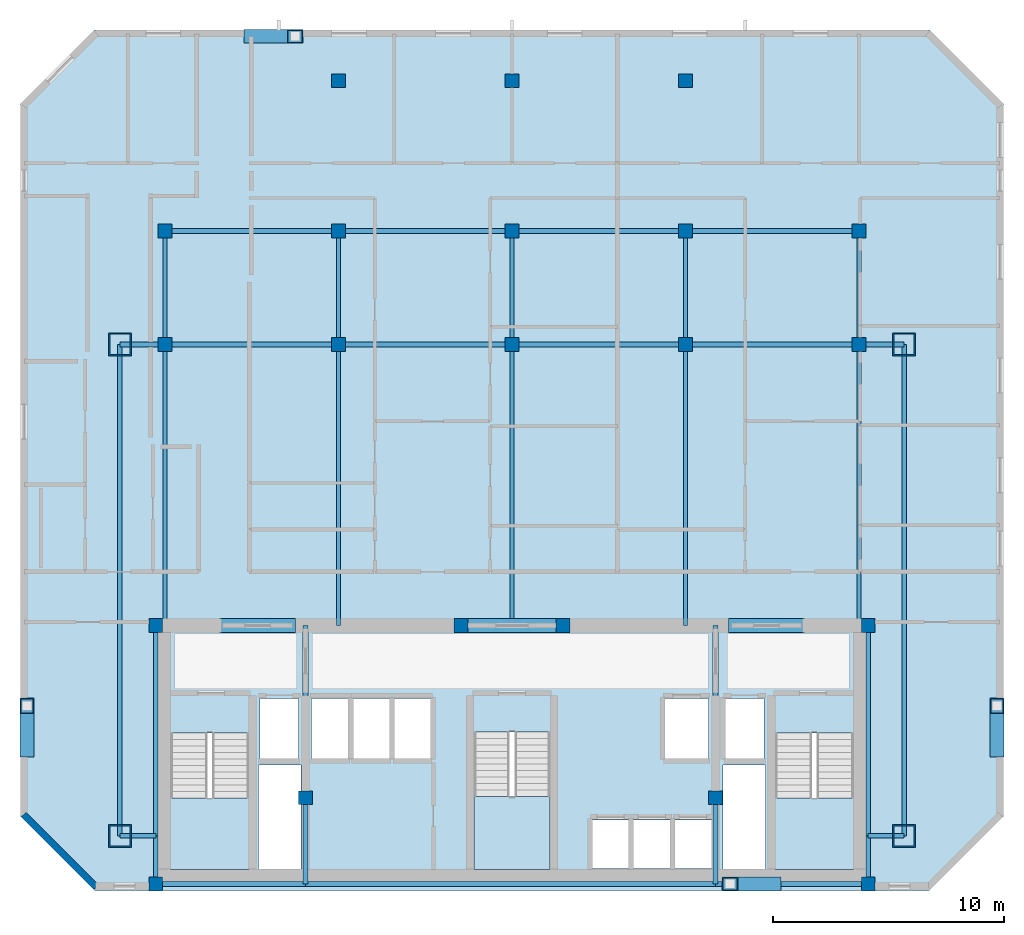
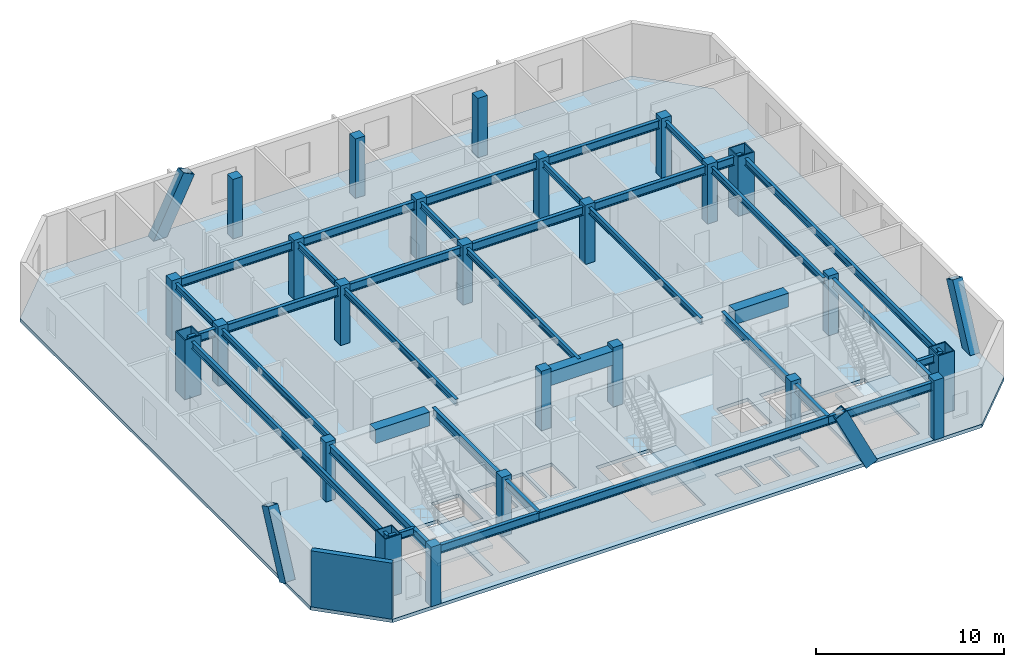
# One storey, part 1 of 7: 38 beams, 25 columns, 4 members, 4 slabs, 1 wall, 3 elements without a shape of their own.
"""IFC4 building model written with IfcOpenShell, lengths in metres."""

from ifc_helpers import new_model, si_unit, direction, frame, frame_2d, origin, origin_2d, place, context, subcontext, project, spatial, polyline, rectangle, hollow_rectangle, i_section, outline, extrude, material, layer, layer_set, material_profile, profile_set, type_object, element, aggregate, save


model = new_model("IFC4")

# Units and contexts
model_context = context("Model", 3, precision=1e-05, world=origin(), true_north=direction((0.0, 1.0)))
body_context = subcontext(model_context, "Body", "Model", "MODEL_VIEW")
ifc_project = project(units=[si_unit("LENGTHUNIT", "METRE"), si_unit("AREAUNIT", "SQUARE_METRE"), si_unit("VOLUMEUNIT", "CUBIC_METRE"), si_unit("PLANEANGLEUNIT", "RADIAN"), si_unit("MASSUNIT", "GRAM", prefix="KILO")], contexts=[model_context])

# Site, building, storey
site_placement = place(None, origin())
site = spatial("IfcSite", under=ifc_project, at=site_placement, CompositionType="ELEMENT")
building_placement = place(site_placement, origin())
building = spatial("IfcBuilding", under=site, at=building_placement, Name="Ventersveld Concourse Tower", CompositionType="ELEMENT")
storey_placement = place(building_placement, frame((0.0, 0.0, 227.25)))
storey = spatial("IfcBuildingStorey", under=building, at=storey_placement, Name="L56", CompositionType="ELEMENT", Elevation=227.25)

# Columns
ifc_material_1 = material(Name="Concrete C50/60", Category="concrete")
ifc_material_profile_1 = material_profile(ifc_material_1, rectangle(XDim=0.60009765625, YDim=0.60009765625, at=origin_2d()), Name="RC 600x600")
ifc_profile_set_1 = profile_set([ifc_material_profile_1], Name="Concrete C50/60")
column_type_1 = type_object("IfcColumnType", Name="COL-RC600", PredefinedType="COLUMN", material=ifc_profile_set_1)
for number, where, z_axis, x_axis, name in (
    (1, (13.35009765625, 0.280029296875, 0.0), (0.0, 0.0, 1.0), (1.0, 0.0, 0.0), "L56 Core Spine Column CC-SW"),
    (2, (44.14990234375, 0.280029296875, 0.0), (0.0, 0.0, 1.0), (1.0, 0.0, 0.0), "L56 Core Spine Column CC-SE"),
    (3, (13.35009765625, 11.449951171875, 0.0), (0.0, 0.0, 1.0), (1.0, 0.0, 0.0), "L56 Core Spine Column CC-NW"),
    (4, (44.14990234375, 11.449951171875, 0.0), (0.0, 0.0, 1.0), (1.0, 0.0, 0.0), "L56 Core Spine Column CC-NE"),
    (5, (19.820068359375, 4.0, 0.0), (0.0, 0.0, 1.0), (1.0, 0.0, 0.0), "L56 Core Spine Column CM-1"),
    (6, (37.550048828125, 4.0, 0.0), (0.0, 0.0, 1.0), (1.0, 0.0, 0.0), "L56 Core Spine Column CM-2"),
    (7, (26.550048828125, 11.449951171875, 0.0), (0.0, 0.0, 1.0), (1.0, 0.0, 0.0), "L56 Core Spine Column CM-3"),
    (8, (30.949951171875, 11.449951171875, 0.0), (0.0, 0.0, 1.0), (1.0, 0.0, 0.0), "L56 Core Spine Column CM-4"),
    (9, (13.75, 23.60009765625, 0.0), (0.0, 0.0, 1.0), (1.0, 0.0, 0.0), "L56 Interior Gravity Column X=13.75 Y=23.60"),
    (10, (21.25, 23.60009765625, 0.0), (0.0, 0.0, 1.0), (1.0, 0.0, 0.0), "L56 Interior Gravity Column X=21.25 Y=23.60"),
    (11, (28.75, 23.60009765625, 0.0), (0.0, 0.0, 1.0), (1.0, 0.0, 0.0), "L56 Interior Gravity Column X=28.75 Y=23.60"),
    (12, (36.25, 23.60009765625, 0.0), (0.0, 0.0, 1.0), (1.0, 0.0, 0.0), "L56 Interior Gravity Column X=36.25 Y=23.60"),
    (13, (43.75, 23.60009765625, 0.0), (0.0, 0.0, 1.0), (1.0, 0.0, 0.0), "L56 Interior Gravity Column X=43.75 Y=23.60"),
    (14, (13.75, 28.5, 0.0), (0.0, 0.0, 1.0), (1.0, 0.0, 0.0), "L56 Upper-North Gravity Column X=13.75 Y=28.50"),
    (15, (21.25, 28.5, 0.0), (0.0, 0.0, 1.0), (1.0, 0.0, 0.0), "L56 Upper-North Gravity Column X=21.25 Y=28.50"),
    (16, (28.75, 28.5, 0.0), (0.0, 0.0, 1.0), (1.0, 0.0, 0.0), "L56 Upper-North Gravity Column X=28.75 Y=28.50"),
    (17, (36.25, 28.5, 0.0), (0.0, 0.0, 1.0), (1.0, 0.0, 0.0), "L56 Upper-North Gravity Column X=36.25 Y=28.50"),
    (18, (43.75, 28.5, 0.0), (0.0, 0.0, 1.0), (1.0, 0.0, 0.0), "L56 Upper-North Gravity Column X=43.75 Y=28.50"),
    (19, (21.25, 35.0, 0.0), (0.0, 0.0, 1.0), (1.0, 0.0, 0.0), "L56 Mid-North Column X=21.25 Y=35.00"),
    (20, (28.75, 35.0, 0.0), (0.0, 0.0, 1.0), (1.0, 0.0, 0.0), "L56 Mid-North Column X=28.75 Y=35.00"),
    (21, (36.25, 35.0, 0.0), (0.0, 0.0, 1.0), (1.0, 0.0, 0.0), "L56 Mid-North Column X=36.25 Y=35.00"),
):
    element("IfcColumn", number, at=place(storey_placement, frame(where, z_axis=z_axis, x_axis=x_axis)), inside=storey, type_object=column_type_1, Name=name, PredefinedType="COLUMN", context=body_context, shape_type="SweptSolid", body=[
        extrude(rectangle(XDim=0.60009765625, YDim=0.60009765625, at=origin_2d()), origin(), (0.0, 0.0, 1.0), 3.85009765625),
    ])
ifc_material_2 = material(Name="Structural steel S460ML", Category="steel")
ifc_material_profile_2 = material_profile(ifc_material_2, hollow_rectangle(XDim=1.0, YDim=1.0, WallThickness=0.06005859375, at=origin_2d()), Name="BOX 1000x1000x60")
ifc_profile_set_2 = profile_set([ifc_material_profile_2], Name="Structural steel S460ML")
column_type_2 = type_object("IfcColumnType", Name="MC-1000", PredefinedType="USERDEFINED", material=ifc_profile_set_2)
for number, where, z_axis, x_axis, name in (
    (22, (11.800048828125, 2.35009765625, 0.0), (0.0, 0.0, 1.0), (1.0, 0.0, 0.0), "L56 Corner Mega-Column MC-SW"),
    (23, (45.699951171875, 2.35009765625, 0.0), (0.0, 0.0, 1.0), (1.0, 0.0, 0.0), "L56 Corner Mega-Column MC-SE"),
    (24, (45.699951171875, 23.60009765625, 0.0), (0.0, 0.0, 1.0), (1.0, 0.0, 0.0), "L56 Corner Mega-Column MC-NE"),
    (25, (11.800048828125, 23.60009765625, 0.0), (0.0, 0.0, 1.0), (1.0, 0.0, 0.0), "L56 Corner Mega-Column MC-NW"),
):
    element("IfcColumn", number, at=place(storey_placement, frame(where, z_axis=z_axis, x_axis=x_axis)), inside=storey, type_object=column_type_2, Name=name, ObjectType="MEGA_COLUMN", PredefinedType="USERDEFINED", context=body_context, shape_type="SweptSolid", body=[
        extrude(hollow_rectangle(XDim=1.0, YDim=1.0, WallThickness=0.06005859375, at=origin_2d()), origin(), (0.0, 0.0, 1.0), 3.85009765625),
    ])

# Beams
ifc_material_3 = material(Name="Structural steel S355J2", Category="steel")
ifc_material_profile_3 = material_profile(ifc_material_3, i_section(OverallWidth=0.177978515625, OverallDepth=0.406494140625, WebThickness=0.0078125, FlangeThickness=0.0126953125, FilletRadius=0.01025390625, at=origin_2d()), Name="UB 406x178x60")
ifc_profile_set_3 = profile_set([ifc_material_profile_3], Name="Structural steel S355J2")
beam_type_1 = type_object("IfcBeamType", Name="BM-UB406", PredefinedType="BEAM", material=ifc_profile_set_3)
beam_1_placement = place(storey_placement, frame((13.75, 11.449951171875, 3.4267578125), z_axis=(0.0, 1.0, 0.0), x_axis=(-1.0, 0.0, 0.0)))
element("IfcBeam", 26, at=beam_1_placement, inside=storey, type_object=beam_type_1, Name="L56 N-S Composite Floor Beam South X=13.75", PredefinedType="BEAM", context=body_context, shape_type="SweptSolid", body=[
    extrude(i_section(OverallWidth=0.177978515625, OverallDepth=0.406494140625, WebThickness=0.0078125, FlangeThickness=0.0126953125, FilletRadius=0.01025390625, at=origin_2d()), origin(), (0.0, 0.0, 1.0), 12.150146484375),
])
beam_2_placement = place(storey_placement, frame((13.75, 23.60009765625, 3.4267578125), z_axis=(0.0, 1.0, 0.0), x_axis=(-1.0, 0.0, 0.0)))
element("IfcBeam", 27, at=beam_2_placement, inside=storey, type_object=beam_type_1, Name="L56 N-S Upper-Zone Floor Beam X=13.75", PredefinedType="BEAM", context=body_context, shape_type="SweptSolid", body=[
    extrude(i_section(OverallWidth=0.177978515625, OverallDepth=0.406494140625, WebThickness=0.0078125, FlangeThickness=0.0126953125, FilletRadius=0.01025390625, at=origin_2d()), origin(), (0.0, 0.0, 1.0), 4.89990234375),
])
beam_3_placement = place(storey_placement, frame((21.25, 11.449951171875, 3.4267578125), z_axis=(0.0, 1.0, 0.0), x_axis=(-1.0, 0.0, 0.0)))
element("IfcBeam", 28, at=beam_3_placement, inside=storey, type_object=beam_type_1, Name="L56 N-S Composite Floor Beam South X=21.25", PredefinedType="BEAM", context=body_context, shape_type="SweptSolid", body=[
    extrude(i_section(OverallWidth=0.177978515625, OverallDepth=0.406494140625, WebThickness=0.0078125, FlangeThickness=0.0126953125, FilletRadius=0.01025390625, at=origin_2d()), origin(), (0.0, 0.0, 1.0), 12.150146484375),
])
beam_4_placement = place(storey_placement, frame((21.25, 23.60009765625, 3.4267578125), z_axis=(0.0, 1.0, 0.0), x_axis=(-1.0, 0.0, 0.0)))
element("IfcBeam", 29, at=beam_4_placement, inside=storey, type_object=beam_type_1, Name="L56 N-S Upper-Zone Floor Beam X=21.25", PredefinedType="BEAM", context=body_context, shape_type="SweptSolid", body=[
    extrude(i_section(OverallWidth=0.177978515625, OverallDepth=0.406494140625, WebThickness=0.0078125, FlangeThickness=0.0126953125, FilletRadius=0.01025390625, at=origin_2d()), origin(), (0.0, 0.0, 1.0), 4.89990234375),
])
beam_5_placement = place(storey_placement, frame((28.75, 11.449951171875, 3.4267578125), z_axis=(0.0, 1.0, 0.0), x_axis=(-1.0, 0.0, 0.0)))
element("IfcBeam", 30, at=beam_5_placement, inside=storey, type_object=beam_type_1, Name="L56 N-S Composite Floor Beam South X=28.75", PredefinedType="BEAM", context=body_context, shape_type="SweptSolid", body=[
    extrude(i_section(OverallWidth=0.177978515625, OverallDepth=0.406494140625, WebThickness=0.0078125, FlangeThickness=0.0126953125, FilletRadius=0.01025390625, at=origin_2d()), origin(), (0.0, 0.0, 1.0), 12.150146484375),
])
beam_6_placement = place(storey_placement, frame((28.75, 23.60009765625, 3.4267578125), z_axis=(0.0, 1.0, 0.0), x_axis=(-1.0, 0.0, 0.0)))
element("IfcBeam", 31, at=beam_6_placement, inside=storey, type_object=beam_type_1, Name="L56 N-S Upper-Zone Floor Beam X=28.75", PredefinedType="BEAM", context=body_context, shape_type="SweptSolid", body=[
    extrude(i_section(OverallWidth=0.177978515625, OverallDepth=0.406494140625, WebThickness=0.0078125, FlangeThickness=0.0126953125, FilletRadius=0.01025390625, at=origin_2d()), origin(), (0.0, 0.0, 1.0), 4.89990234375),
])
beam_7_placement = place(storey_placement, frame((36.25, 11.449951171875, 3.4267578125), z_axis=(0.0, 1.0, 0.0), x_axis=(-1.0, 0.0, 0.0)))
element("IfcBeam", 32, at=beam_7_placement, inside=storey, type_object=beam_type_1, Name="L56 N-S Composite Floor Beam South X=36.25", PredefinedType="BEAM", context=body_context, shape_type="SweptSolid", body=[
    extrude(i_section(OverallWidth=0.177978515625, OverallDepth=0.406494140625, WebThickness=0.0078125, FlangeThickness=0.0126953125, FilletRadius=0.01025390625, at=origin_2d()), origin(), (0.0, 0.0, 1.0), 12.150146484375),
])
beam_8_placement = place(storey_placement, frame((36.25, 23.60009765625, 3.4267578125), z_axis=(0.0, 1.0, 0.0), x_axis=(-1.0, 0.0, 0.0)))
element("IfcBeam", 33, at=beam_8_placement, inside=storey, type_object=beam_type_1, Name="L56 N-S Upper-Zone Floor Beam X=36.25", PredefinedType="BEAM", context=body_context, shape_type="SweptSolid", body=[
    extrude(i_section(OverallWidth=0.177978515625, OverallDepth=0.406494140625, WebThickness=0.0078125, FlangeThickness=0.0126953125, FilletRadius=0.01025390625, at=origin_2d()), origin(), (0.0, 0.0, 1.0), 4.89990234375),
])
beam_9_placement = place(storey_placement, frame((43.75, 11.449951171875, 3.4267578125), z_axis=(0.0, 1.0, 0.0), x_axis=(-1.0, 0.0, 0.0)))
element("IfcBeam", 34, at=beam_9_placement, inside=storey, type_object=beam_type_1, Name="L56 N-S Composite Floor Beam South X=43.75", PredefinedType="BEAM", context=body_context, shape_type="SweptSolid", body=[
    extrude(i_section(OverallWidth=0.177978515625, OverallDepth=0.406494140625, WebThickness=0.0078125, FlangeThickness=0.0126953125, FilletRadius=0.01025390625, at=origin_2d()), origin(), (0.0, 0.0, 1.0), 12.150146484375),
])
beam_10_placement = place(storey_placement, frame((43.75, 23.60009765625, 3.4267578125), z_axis=(0.0, 1.0, 0.0), x_axis=(-1.0, 0.0, 0.0)))
element("IfcBeam", 35, at=beam_10_placement, inside=storey, type_object=beam_type_1, Name="L56 N-S Upper-Zone Floor Beam X=43.75", PredefinedType="BEAM", context=body_context, shape_type="SweptSolid", body=[
    extrude(i_section(OverallWidth=0.177978515625, OverallDepth=0.406494140625, WebThickness=0.0078125, FlangeThickness=0.0126953125, FilletRadius=0.01025390625, at=origin_2d()), origin(), (0.0, 0.0, 1.0), 4.89990234375),
])
ifc_material_profile_4 = material_profile(ifc_material_1, rectangle(XDim=0.60009765625, YDim=0.89990234375, at=origin_2d()), Name="RC 600x900")
ifc_profile_set_4 = profile_set([ifc_material_profile_4], Name="Concrete C50/60")
beam_type_2 = type_object("IfcBeamType", Name="CB-RC600x900U", PredefinedType="LINTEL", material=ifc_profile_set_4)
beam_11_placement = place(storey_placement, frame((16.10009765625, 11.449951171875, 3.179931640625), z_axis=(1.0, 0.0, 0.0), x_axis=(0.0, 1.0, 0.0)))
element("IfcBeam", 36, at=beam_11_placement, inside=storey, type_object=beam_type_2, Name="L56 Core Coupling Lintel Beam 1", PredefinedType="LINTEL", context=body_context, shape_type="SweptSolid", body=[
    extrude(rectangle(XDim=0.60009765625, YDim=0.89990234375, at=origin_2d()), origin(), (0.0, 0.0, 1.0), 3.2998046875),
])
beam_12_placement = place(storey_placement, frame((26.5, 11.449951171875, 3.179931640625), z_axis=(1.0, 0.0, 0.0), x_axis=(0.0, 1.0, 0.0)))
element("IfcBeam", 37, at=beam_12_placement, inside=storey, type_object=beam_type_2, Name="L56 Core Coupling Lintel Beam 2", PredefinedType="LINTEL", context=body_context, shape_type="SweptSolid", body=[
    extrude(rectangle(XDim=0.60009765625, YDim=0.89990234375, at=origin_2d()), origin(), (0.0, 0.0, 1.0), 4.5),
])
beam_13_placement = place(storey_placement, frame((38.10009765625, 11.449951171875, 3.179931640625), z_axis=(1.0, 0.0, 0.0), x_axis=(0.0, 1.0, 0.0)))
element("IfcBeam", 38, at=beam_13_placement, inside=storey, type_object=beam_type_2, Name="L56 Core Coupling Lintel Beam 3", PredefinedType="LINTEL", context=body_context, shape_type="SweptSolid", body=[
    extrude(rectangle(XDim=0.60009765625, YDim=0.89990234375, at=origin_2d()), origin(), (0.0, 0.0, 1.0), 3.2998046875),
])
ifc_material_profile_5 = material_profile(ifc_material_3, i_section(OverallWidth=0.2119140625, OverallDepth=0.54443359375, WebThickness=0.0126953125, FlangeThickness=0.021240234375, FilletRadius=0.0126953125, at=origin_2d()), Name="UB 533x210x122")
ifc_profile_set_5 = profile_set([ifc_material_profile_5], Name="Structural steel S355J2")
beam_type_3 = type_object("IfcBeamType", Name="GRD-UB533H", PredefinedType="T_BEAM", material=ifc_profile_set_5)
beam_14_placement = place(storey_placement, frame((13.35009765625, 0.280029296875, 3.357666015625), z_axis=(0.0, 1.0, 0.0), x_axis=(-1.0, 0.0, 0.0)))
element("IfcBeam", 39, at=beam_14_placement, inside=storey, type_object=beam_type_3, Name="L56 Core West Tie Beam S", PredefinedType="T_BEAM", context=body_context, shape_type="SweptSolid", body=[
    extrude(i_section(OverallWidth=0.2119140625, OverallDepth=0.54443359375, WebThickness=0.0126953125, FlangeThickness=0.021240234375, FilletRadius=0.0126953125, at=origin_2d()), origin(), (0.0, 0.0, 1.0), 2.070068359375),
])
beam_15_placement = place(storey_placement, frame((13.35009765625, 2.35009765625, 3.357666015625), z_axis=(0.0, 1.0, 0.0), x_axis=(-1.0, 0.0, 0.0)))
element("IfcBeam", 40, at=beam_15_placement, inside=storey, type_object=beam_type_3, Name="L56 Core West Tie Beam N", PredefinedType="T_BEAM", context=body_context, shape_type="SweptSolid", body=[
    extrude(i_section(OverallWidth=0.2119140625, OverallDepth=0.54443359375, WebThickness=0.0126953125, FlangeThickness=0.021240234375, FilletRadius=0.0126953125, at=origin_2d()), origin(), (0.0, 0.0, 1.0), 9.099853515625),
])
beam_16_placement = place(storey_placement, frame((44.14990234375, 0.280029296875, 3.357666015625), z_axis=(0.0, 1.0, 0.0), x_axis=(-1.0, 0.0, 0.0)))
element("IfcBeam", 41, at=beam_16_placement, inside=storey, type_object=beam_type_3, Name="L56 Core East Tie Beam S", PredefinedType="T_BEAM", context=body_context, shape_type="SweptSolid", body=[
    extrude(i_section(OverallWidth=0.2119140625, OverallDepth=0.54443359375, WebThickness=0.0126953125, FlangeThickness=0.021240234375, FilletRadius=0.0126953125, at=origin_2d()), origin(), (0.0, 0.0, 1.0), 2.070068359375),
])
beam_17_placement = place(storey_placement, frame((44.14990234375, 2.35009765625, 3.357666015625), z_axis=(0.0, 1.0, 0.0), x_axis=(-1.0, 0.0, 0.0)))
element("IfcBeam", 42, at=beam_17_placement, inside=storey, type_object=beam_type_3, Name="L56 Core East Tie Beam N", PredefinedType="T_BEAM", context=body_context, shape_type="SweptSolid", body=[
    extrude(i_section(OverallWidth=0.2119140625, OverallDepth=0.54443359375, WebThickness=0.0126953125, FlangeThickness=0.021240234375, FilletRadius=0.0126953125, at=origin_2d()), origin(), (0.0, 0.0, 1.0), 9.099853515625),
])
beam_18_placement = place(storey_placement, frame((13.35009765625, 0.280029296875, 3.357666015625), z_axis=(1.0, 0.0, 0.0), x_axis=(0.0, 1.0, 0.0)))
element("IfcBeam", 43, at=beam_18_placement, inside=storey, type_object=beam_type_3, Name="L56 Core South Tie Beam W", PredefinedType="T_BEAM", context=body_context, shape_type="SweptSolid", body=[
    extrude(i_section(OverallWidth=0.2119140625, OverallDepth=0.54443359375, WebThickness=0.0126953125, FlangeThickness=0.021240234375, FilletRadius=0.0126953125, at=origin_2d()), origin(), (0.0, 0.0, 1.0), 6.469970703125),
])
beam_19_placement = place(storey_placement, frame((19.820068359375, 0.280029296875, 3.357666015625), z_axis=(1.0, 0.0, 0.0), x_axis=(0.0, 1.0, 0.0)))
element("IfcBeam", 44, at=beam_19_placement, inside=storey, type_object=beam_type_3, Name="L56 Core South Tie Beam C", PredefinedType="T_BEAM", context=body_context, shape_type="SweptSolid", body=[
    extrude(i_section(OverallWidth=0.2119140625, OverallDepth=0.54443359375, WebThickness=0.0126953125, FlangeThickness=0.021240234375, FilletRadius=0.0126953125, at=origin_2d()), origin(), (0.0, 0.0, 1.0), 17.72998046875),
])
beam_20_placement = place(storey_placement, frame((37.550048828125, 0.280029296875, 3.357666015625), z_axis=(1.0, 0.0, 0.0), x_axis=(0.0, 1.0, 0.0)))
element("IfcBeam", 45, at=beam_20_placement, inside=storey, type_object=beam_type_3, Name="L56 Core South Tie Beam E", PredefinedType="T_BEAM", context=body_context, shape_type="SweptSolid", body=[
    extrude(i_section(OverallWidth=0.2119140625, OverallDepth=0.54443359375, WebThickness=0.0126953125, FlangeThickness=0.021240234375, FilletRadius=0.0126953125, at=origin_2d()), origin(), (0.0, 0.0, 1.0), 6.599853515625),
])
beam_21_placement = place(storey_placement, frame((19.820068359375, 0.280029296875, 3.357666015625), z_axis=(0.0, 1.0, 0.0), x_axis=(-1.0, 0.0, 0.0)))
element("IfcBeam", 46, at=beam_21_placement, inside=storey, type_object=beam_type_3, Name="L56 Core Spine N-S Tie Beam W1", PredefinedType="T_BEAM", context=body_context, shape_type="SweptSolid", body=[
    extrude(i_section(OverallWidth=0.2119140625, OverallDepth=0.54443359375, WebThickness=0.0126953125, FlangeThickness=0.021240234375, FilletRadius=0.0126953125, at=origin_2d()), origin(), (0.0, 0.0, 1.0), 3.719970703125),
])
beam_22_placement = place(storey_placement, frame((19.820068359375, 4.0, 3.357666015625), z_axis=(0.0, 1.0, 0.0), x_axis=(-1.0, 0.0, 0.0)))
element("IfcBeam", 47, at=beam_22_placement, inside=storey, type_object=beam_type_3, Name="L56 Core Spine N-S Tie Beam W2", PredefinedType="T_BEAM", context=body_context, shape_type="SweptSolid", body=[
    extrude(i_section(OverallWidth=0.2119140625, OverallDepth=0.54443359375, WebThickness=0.0126953125, FlangeThickness=0.021240234375, FilletRadius=0.0126953125, at=origin_2d()), origin(), (0.0, 0.0, 1.0), 7.449951171875),
])
beam_23_placement = place(storey_placement, frame((37.550048828125, 0.280029296875, 3.357666015625), z_axis=(0.0, 1.0, 0.0), x_axis=(-1.0, 0.0, 0.0)))
element("IfcBeam", 48, at=beam_23_placement, inside=storey, type_object=beam_type_3, Name="L56 Core Spine N-S Tie Beam E1", PredefinedType="T_BEAM", context=body_context, shape_type="SweptSolid", body=[
    extrude(i_section(OverallWidth=0.2119140625, OverallDepth=0.54443359375, WebThickness=0.0126953125, FlangeThickness=0.021240234375, FilletRadius=0.0126953125, at=origin_2d()), origin(), (0.0, 0.0, 1.0), 3.719970703125),
])
beam_24_placement = place(storey_placement, frame((37.550048828125, 4.0, 3.357666015625), z_axis=(0.0, 1.0, 0.0), x_axis=(-1.0, 0.0, 0.0)))
element("IfcBeam", 49, at=beam_24_placement, inside=storey, type_object=beam_type_3, Name="L56 Core Spine N-S Tie Beam E2", PredefinedType="T_BEAM", context=body_context, shape_type="SweptSolid", body=[
    extrude(i_section(OverallWidth=0.2119140625, OverallDepth=0.54443359375, WebThickness=0.0126953125, FlangeThickness=0.021240234375, FilletRadius=0.0126953125, at=origin_2d()), origin(), (0.0, 0.0, 1.0), 7.449951171875),
])
beam_25_placement = place(storey_placement, frame((11.800048828125, 23.60009765625, 3.357666015625), z_axis=(1.0, 0.0, 0.0), x_axis=(0.0, 1.0, 0.0)))
element("IfcBeam", 50, at=beam_25_placement, inside=storey, type_object=beam_type_3, Name="L56 Primary E-W Grid Girder Y=23.60 #1", PredefinedType="T_BEAM", context=body_context, shape_type="SweptSolid", body=[
    extrude(i_section(OverallWidth=0.2119140625, OverallDepth=0.54443359375, WebThickness=0.0126953125, FlangeThickness=0.021240234375, FilletRadius=0.0126953125, at=origin_2d()), origin(), (0.0, 0.0, 1.0), 1.949951171875),
])
for number, where, z_axis, x_axis, name in (
    (51, (13.75, 23.60009765625, 3.357666015625), (1.0, 0.0, 0.0), (0.0, 1.0, 0.0), "L56 Primary E-W Grid Girder Y=23.60 #2"),
    (52, (21.25, 23.60009765625, 3.357666015625), (1.0, 0.0, 0.0), (0.0, 1.0, 0.0), "L56 Primary E-W Grid Girder Y=23.60 #3"),
    (53, (28.75, 23.60009765625, 3.357666015625), (1.0, 0.0, 0.0), (0.0, 1.0, 0.0), "L56 Primary E-W Grid Girder Y=23.60 #4"),
    (54, (36.25, 23.60009765625, 3.357666015625), (1.0, 0.0, 0.0), (0.0, 1.0, 0.0), "L56 Primary E-W Grid Girder Y=23.60 #5"),
):
    element("IfcBeam", number, at=place(storey_placement, frame(where, z_axis=z_axis, x_axis=x_axis)), inside=storey, type_object=beam_type_3, Name=name, PredefinedType="T_BEAM", context=body_context, shape_type="SweptSolid", body=[
        extrude(i_section(OverallWidth=0.2119140625, OverallDepth=0.54443359375, WebThickness=0.0126953125, FlangeThickness=0.021240234375, FilletRadius=0.0126953125, at=origin_2d()), origin(), (0.0, 0.0, 1.0), 7.5),
    ])
beam_26_placement = place(storey_placement, frame((43.75, 23.60009765625, 3.357666015625), z_axis=(1.0, 0.0, 0.0), x_axis=(0.0, 1.0, 0.0)))
element("IfcBeam", 55, at=beam_26_placement, inside=storey, type_object=beam_type_3, Name="L56 Primary E-W Grid Girder Y=23.60 #6", PredefinedType="T_BEAM", context=body_context, shape_type="SweptSolid", body=[
    extrude(i_section(OverallWidth=0.2119140625, OverallDepth=0.54443359375, WebThickness=0.0126953125, FlangeThickness=0.021240234375, FilletRadius=0.0126953125, at=origin_2d()), origin(), (0.0, 0.0, 1.0), 1.949951171875),
])
for number, where, z_axis, x_axis, name in (
    (56, (13.75, 28.5, 3.357666015625), (1.0, 0.0, 0.0), (0.0, 1.0, 0.0), "L56 Upper-North E-W Girder Y=28.50 #1"),
    (57, (21.25, 28.5, 3.357666015625), (1.0, 0.0, 0.0), (0.0, 1.0, 0.0), "L56 Upper-North E-W Girder Y=28.50 #2"),
    (58, (28.75, 28.5, 3.357666015625), (1.0, 0.0, 0.0), (0.0, 1.0, 0.0), "L56 Upper-North E-W Girder Y=28.50 #3"),
    (59, (36.25, 28.5, 3.357666015625), (1.0, 0.0, 0.0), (0.0, 1.0, 0.0), "L56 Upper-North E-W Girder Y=28.50 #4"),
):
    element("IfcBeam", number, at=place(storey_placement, frame(where, z_axis=z_axis, x_axis=x_axis)), inside=storey, type_object=beam_type_3, Name=name, PredefinedType="T_BEAM", context=body_context, shape_type="SweptSolid", body=[
        extrude(i_section(OverallWidth=0.2119140625, OverallDepth=0.54443359375, WebThickness=0.0126953125, FlangeThickness=0.021240234375, FilletRadius=0.0126953125, at=origin_2d()), origin(), (0.0, 0.0, 1.0), 7.5),
    ])

# Members
ifc_material_4 = material(Name="Structural steel S355ML", Category="steel")
ifc_material_profile_6 = material_profile(ifc_material_4, hollow_rectangle(XDim=0.60009765625, YDim=0.75, WallThickness=0.0400390625, at=origin_2d()), Name="BOX 750x600x40")
ifc_profile_set_6 = profile_set([ifc_material_profile_6], Name="Structural steel S355ML")
member_type = type_object("IfcMemberType", Name="MB-750x600", PredefinedType="BRACE", material=ifc_profile_set_6)
for number, where, z_axis, x_axis, name in (
    (60, (17.5, 36.919921875, -0.219970703125), (0.437861906815, 0.0, 0.899042240699), (0.0, 1.0, 0.0), "L56 Exterior Mega-Brace N (Module M13)"),
    (61, (40.050048828125, 0.280029296875, -0.219970703125), (-0.437861906815, 0.0, 0.899042240699), (0.0, -1.0, 0.0), "L56 Exterior Mega-Brace S (Module M13)"),
    (62, (7.780029296875, 6.10009765625, -0.219970703125), (0.0, 0.437861906815, 0.899042240699), (-1.0, 0.0, 0.0), "L56 Exterior Mega-Brace W (Module M13)"),
    (63, (49.719970703125, 6.10009765625, -0.219970703125), (0.0, 0.437861906815, 0.899042240699), (-1.0, 0.0, 0.0), "L56 Exterior Mega-Brace E (Module M13)"),
):
    element("IfcMember", number, at=place(storey_placement, frame(where, z_axis=z_axis, x_axis=x_axis)), inside=storey, type_object=member_type, Name=name, PredefinedType="BRACE", context=body_context, shape_type="SweptSolid", body=[
        extrude(hollow_rectangle(XDim=0.60009765625, YDim=0.75, WallThickness=0.0400390625, at=origin_2d()), origin(), (0.0, 0.0, 1.0), 4.2822265625),
    ])

# Beams
ifc_material_profile_7 = material_profile(ifc_material_3, i_section(OverallWidth=0.19140625, OverallDepth=0.4599609375, WebThickness=0.010009765625, FlangeThickness=0.01611328125, FilletRadius=0.01025390625, at=origin_2d()), Name="UB 457x191x82")
ifc_profile_set_7 = profile_set([ifc_material_profile_7], Name="Structural steel S355J2")
beam_type_4 = type_object("IfcBeamType", Name="SPD-UB457", PredefinedType="SPANDREL", material=ifc_profile_set_7)
for number, where, z_axis, x_axis, name in (
    (64, (11.800048828125, 2.35009765625, 3.39990234375), (1.0, 0.0, 0.0), (0.0, 1.0, 0.0), "L56 SW Spandrel Beam"),
    (65, (44.14990234375, 2.35009765625, 3.39990234375), (1.0, 0.0, 0.0), (0.0, 1.0, 0.0), "L56 SE Spandrel Beam"),
):
    element("IfcBeam", number, at=place(storey_placement, frame(where, z_axis=z_axis, x_axis=x_axis)), inside=storey, type_object=beam_type_4, Name=name, PredefinedType="SPANDREL", context=body_context, shape_type="SweptSolid", body=[
        extrude(i_section(OverallWidth=0.19140625, OverallDepth=0.4599609375, WebThickness=0.010009765625, FlangeThickness=0.01611328125, FilletRadius=0.01025390625, at=origin_2d()), origin(), (0.0, 0.0, 1.0), 1.550048828125),
    ])
for number, where, z_axis, x_axis, name in (
    (66, (11.800048828125, 2.35009765625, 3.39990234375), (0.0, 1.0, 0.0), (-1.0, 0.0, 0.0), "L56 West Spandrel Beam"),
    (67, (45.699951171875, 2.35009765625, 3.39990234375), (0.0, 1.0, 0.0), (-1.0, 0.0, 0.0), "L56 East Spandrel Beam"),
):
    element("IfcBeam", number, at=place(storey_placement, frame(where, z_axis=z_axis, x_axis=x_axis)), inside=storey, type_object=beam_type_4, Name=name, PredefinedType="SPANDREL", context=body_context, shape_type="SweptSolid", body=[
        extrude(i_section(OverallWidth=0.19140625, OverallDepth=0.4599609375, WebThickness=0.010009765625, FlangeThickness=0.01611328125, FilletRadius=0.01025390625, at=origin_2d()), origin(), (0.0, 0.0, 1.0), 21.25),
    ])

# Slab
ifc_layer_1 = layer(ifc_material_1, 0.219970703125)
ifc_layer_set_1 = layer_set([ifc_layer_1], Name="Concrete C50/60")
slab_type_1 = type_object("IfcSlabType", Name="SL-FLR-220", PredefinedType="FLOOR", material=ifc_layer_set_1)
slab_1_placement = place(storey_placement, frame((0.0, 0.0, -0.219970703125)))
element("IfcSlab", 68, at=slab_1_placement, inside=storey, type_object=slab_type_1, Name="L56 Composite Floor Slab", PredefinedType="FLOOR", context=body_context, shape_type="SweptSolid", body=[
    extrude(outline(polyline([(10.699951171875, 0.0), (46.800048828125, 0.0), (50.0, 3.199951171875), (50.0, 34.0), (46.800048828125, 37.199951171875), (10.699951171875, 37.199951171875), (7.5, 34.0), (7.5, 3.199951171875), (10.699951171875, 0.0)]), holes=[polyline([(13.97998046875, 6.794921875), (13.97998046875, 0.89990234375), (17.3798828125, 0.89990234375), (17.3798828125, 6.794921875), (13.97998046875, 6.794921875)]), polyline([(40.1201171875, 6.794921875), (40.1201171875, 0.89990234375), (43.52001953125, 0.89990234375), (43.52001953125, 6.794921875), (40.1201171875, 6.794921875)]), polyline([(27.10009765625, 6.844970703125), (27.10009765625, 0.89990234375), (30.39990234375, 0.89990234375), (30.39990234375, 6.844970703125), (27.10009765625, 6.844970703125)]), polyline([(17.85009765625, 5.699951171875), (19.530029296875, 5.699951171875), (19.530029296875, 8.300048828125), (17.85009765625, 8.300048828125), (17.85009765625, 5.699951171875)]), polyline([(37.969970703125, 5.699951171875), (39.64990234375, 5.699951171875), (39.64990234375, 8.300048828125), (37.969970703125, 8.300048828125), (37.969970703125, 5.699951171875)]), polyline([(35.35009765625, 5.699951171875), (37.25, 5.699951171875), (37.25, 8.300048828125), (35.35009765625, 8.300048828125), (35.35009765625, 5.699951171875)]), polyline([(32.2099609375, 0.949951171875), (33.81005859375, 0.949951171875), (33.81005859375, 3.050048828125), (32.2099609375, 3.050048828125), (32.2099609375, 0.949951171875)]), polyline([(33.989990234375, 0.949951171875), (35.590087890625, 0.949951171875), (35.590087890625, 3.050048828125), (33.989990234375, 3.050048828125), (33.989990234375, 0.949951171875)]), polyline([(35.77001953125, 0.949951171875), (37.3701171875, 0.949951171875), (37.3701171875, 3.050048828125), (35.77001953125, 3.050048828125), (35.77001953125, 0.949951171875)]), polyline([(20.090087890625, 5.699951171875), (21.68994140625, 5.699951171875), (21.68994140625, 8.300048828125), (20.090087890625, 8.300048828125), (20.090087890625, 5.699951171875)]), polyline([(21.8701171875, 5.699951171875), (23.469970703125, 5.699951171875), (23.469970703125, 8.300048828125), (21.8701171875, 8.300048828125), (21.8701171875, 5.699951171875)]), polyline([(23.64990234375, 5.699951171875), (25.25, 5.699951171875), (25.25, 8.300048828125), (23.64990234375, 8.300048828125), (23.64990234375, 5.699951171875)]), polyline([(17.780029296875, 0.919921875), (19.6201171875, 0.919921875), (19.6201171875, 5.419921875), (17.780029296875, 5.419921875), (17.780029296875, 0.919921875)]), polyline([(37.8798828125, 0.919921875), (39.719970703125, 0.919921875), (39.719970703125, 5.419921875), (37.8798828125, 5.419921875), (37.8798828125, 0.919921875)])]), origin(), (0.0, 0.0, 1.0), 0.219970703125),
])

# Stair, slab
stair_type_1 = type_object("IfcStairType", Name="ST-DOG-160", PredefinedType="HALF_TURN_STAIR", material=ifc_material_1)
stair_1_placement = place(storey_placement, origin())
stair_1 = element("IfcStair", 69, at=stair_1_placement, inside=storey, type_object=stair_type_1, Name="L56 Protected Tower Escape Stair ST-01", PredefinedType="HALF_TURN_STAIR")
ifc_layer_2 = layer(ifc_material_1, 0.199951171875)
ifc_layer_set_2 = layer_set([ifc_layer_2], Name="Concrete C50/60")
slab_type_2 = type_object("IfcSlabType", Name="SL-LND-200", PredefinedType="LANDING", material=ifc_layer_set_2)
slab_2_placement = place(storey_placement, frame((0.0, 0.0, 1.72509765625)))
slab_2 = element("IfcSlab", 70, at=slab_2_placement, type_object=slab_type_2, Name="ST-01 landing 1", PredefinedType="LANDING", context=body_context, shape_type="SweptSolid", body=[
    extrude(outline(polyline([(13.97998046875, 4.0), (13.97998046875, 0.89990234375), (17.3798828125, 0.89990234375), (17.3798828125, 4.0), (13.97998046875, 4.0)])), origin(), (0.0, 0.0, 1.0), 0.199951171875),
])
aggregate(stair_1, [slab_2])

stair_2_placement = place(storey_placement, origin())
stair_2 = element("IfcStair", 71, at=stair_2_placement, inside=storey, type_object=stair_type_1, Name="L56 Protected Tower Escape Stair ST-02", PredefinedType="HALF_TURN_STAIR")
slab_3_placement = place(storey_placement, frame((0.0, 0.0, 1.72509765625)))
slab_3 = element("IfcSlab", 72, at=slab_3_placement, type_object=slab_type_2, Name="ST-02 landing 1", PredefinedType="LANDING", context=body_context, shape_type="SweptSolid", body=[
    extrude(outline(polyline([(40.1201171875, 4.0), (40.1201171875, 0.89990234375), (43.52001953125, 0.89990234375), (43.52001953125, 4.0), (40.1201171875, 4.0)])), origin(), (0.0, 0.0, 1.0), 0.199951171875),
])
aggregate(stair_2, [slab_3])

stair_type_2 = type_object("IfcStairType", Name="ST-DOG-155", PredefinedType="HALF_TURN_STAIR", material=ifc_material_1)
stair_3_placement = place(storey_placement, origin())
stair_3 = element("IfcStair", 73, at=stair_3_placement, inside=storey, type_object=stair_type_2, Name="L56 Protected Central Core Escape Stair ST-03", PredefinedType="HALF_TURN_STAIR")
slab_4_placement = place(storey_placement, frame((0.0, 0.0, 1.72509765625)))
slab_4 = element("IfcSlab", 74, at=slab_4_placement, type_object=slab_type_2, Name="ST-03 landing 1", PredefinedType="LANDING", context=body_context, shape_type="SweptSolid", body=[
    extrude(outline(polyline([(27.10009765625, 4.050048828125), (27.10009765625, 0.89990234375), (30.39990234375, 0.89990234375), (30.39990234375, 4.050048828125), (27.10009765625, 4.050048828125)])), origin(), (0.0, 0.0, 1.0), 0.199951171875),
])
aggregate(stair_3, [slab_4])

# Wall
ifc_material_5 = material(Name="Precast concrete C45/55", Category="concrete")
ifc_layer_3 = layer(ifc_material_5, 0.300048828125)
ifc_layer_set_3 = layer_set([ifc_layer_3], Name="Precast concrete C45/55")
wall_type = type_object("IfcWallType", Name="WL-PREC-300", PredefinedType="SOLIDWALL", material=ifc_layer_set_3)
wall_placement = place(storey_placement, frame((7.634521484375, 3.27783203125, 0.0), z_axis=(0.0, 0.0, 1.0), x_axis=(0.707106781187, -0.707106781187, 0.0)))
element("IfcWall", 75, at=wall_placement, inside=storey, type_object=wall_type, Name="L56 Highveld Precast Facade Wall E08", PredefinedType="SOLIDWALL", context=body_context, shape_type="SweptSolid", body=[
    extrude(rectangle(XDim=4.4453125, YDim=0.300048828125, at=frame_2d((2.22265625, 0.0))), origin(), (0.0, 0.0, 1.0), 3.6298828125),
])

save(model, "model.ifc")
